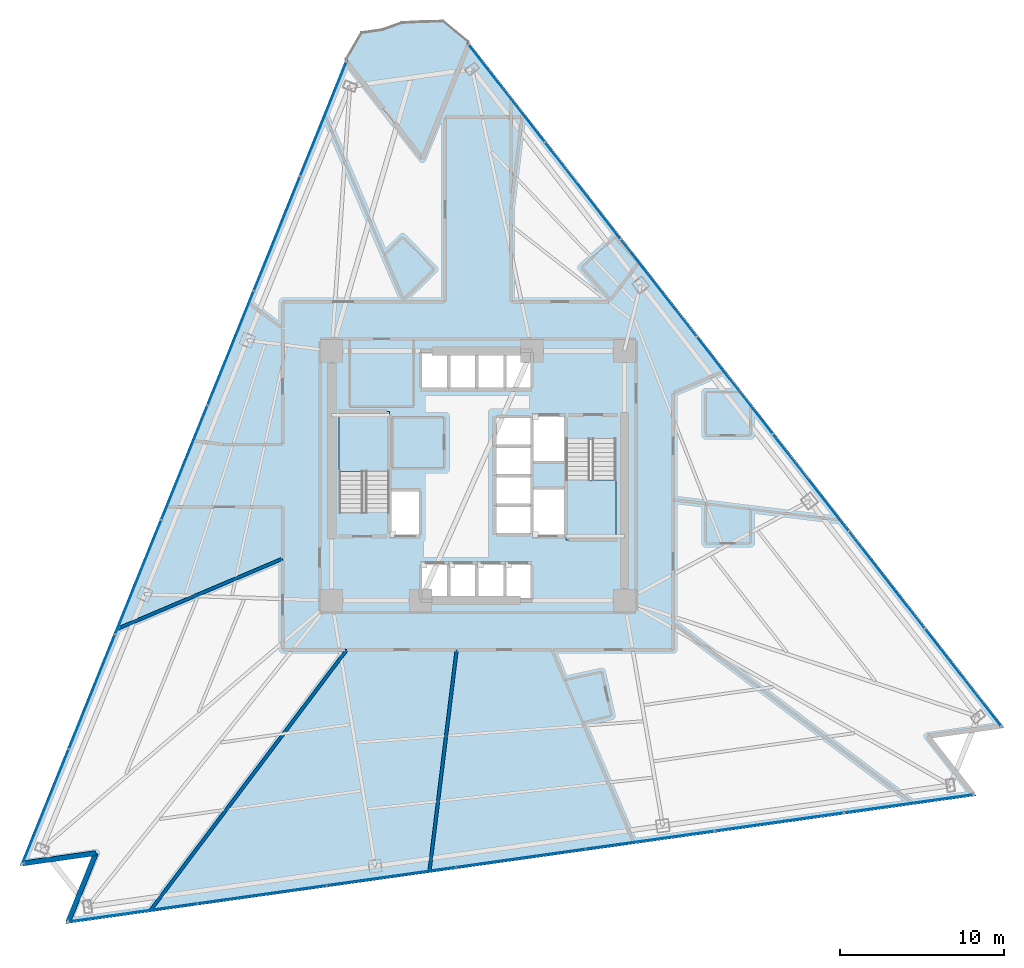
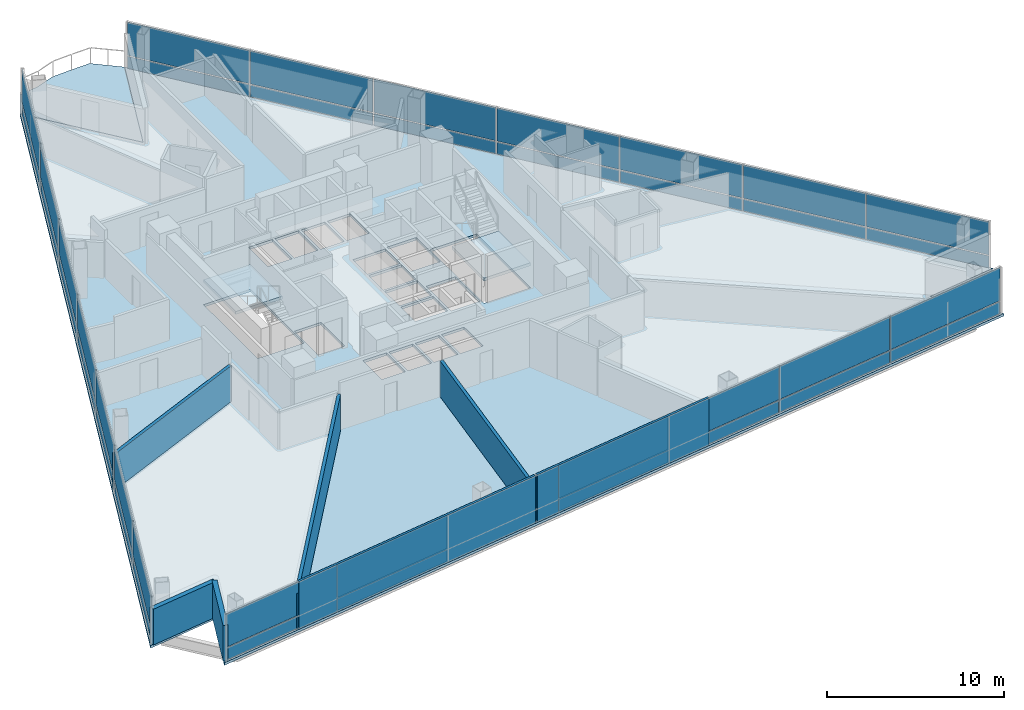
# One storey, part 6 of 15: 42 plates, 7 walls, 4 slabs, 5 elements without a shape of their own.
"""IFC4 building model written with IfcOpenShell, lengths in metres."""

from ifc_helpers import new_model, si_unit, direction, frame, frame_2d, origin, origin_2d, place, context, subcontext, project, spatial, polyline, rectangle, outline, extrude, material, layer, layer_set, type_object, element, aggregate, save


model = new_model("IFC4")

# Units and contexts
model_context = context("Model", 3, precision=1e-05, world=origin(), true_north=direction((0.0, 1.0)))
body_context = subcontext(model_context, "Body", "Model", "MODEL_VIEW")
ifc_project = project(units=[si_unit("LENGTHUNIT", "METRE"), si_unit("AREAUNIT", "SQUARE_METRE"), si_unit("VOLUMEUNIT", "CUBIC_METRE"), si_unit("PLANEANGLEUNIT", "RADIAN"), si_unit("MASSUNIT", "GRAM", prefix="KILO")], contexts=[model_context])

# Site, building, storey
site_placement = place(None, origin())
site = spatial("IfcSite", under=ifc_project, at=site_placement, CompositionType="ELEMENT")
building_placement = place(site_placement, origin())
building = spatial("IfcBuilding", under=site, at=building_placement, Name="Tharavind Bronze Gate", CompositionType="ELEMENT")
storey_placement = place(building_placement, frame((0.0, 0.0, 74.199951171875)))
storey = spatial("IfcBuildingStorey", under=building, at=storey_placement, Name="L18", CompositionType="ELEMENT", Elevation=74.199951171875)

# Curtain wall, plates
ifc_material_1 = material(Name="Anodised Bronze Aluminium", Category="aluminium")
ifc_layer_1 = layer(ifc_material_1, 0.219970703125)
ifc_layer_set_1 = layer_set([ifc_layer_1], Name="Anodised Bronze Aluminium")
curtain_wall_type = type_object("IfcCurtainWallType", Name="UNITISED CURTAIN WALL HOTEL", PredefinedType="USERDEFINED", material=ifc_layer_set_1)
curtain_wall_1_placement = place(storey_placement, origin())
curtain_wall_1 = element("IfcCurtainWall", 1, at=curtain_wall_1_placement, inside=storey, type_object=curtain_wall_type, Name="L18 unitised curtain wall hotel CW-L18-S1", ObjectType="UNITISED CURTAIN WALL", PredefinedType="USERDEFINED")
ifc_material_2 = material(Name="Patinated Bronze Alloy Sheet", Category="bronze")
ifc_layer_2 = layer(ifc_material_2, 0.01611328125)
ifc_layer_set_2 = layer_set([ifc_layer_2], Name="Patinated Bronze Alloy Sheet")
plate_type_1 = type_object("IfcPlateType", Name="BRONZE SPANDREL CLADDING PANEL 16", PredefinedType="CURTAIN_PANEL", material=ifc_layer_set_2)
plate_1_placement = place(storey_placement, frame((-9.408203125, 21.69921875, 0.033935546875), z_axis=(0.0, 0.0, 1.0), x_axis=(-0.374606593416, -0.927183854567, 0.0)))
plate_1 = element("IfcPlate", 2, at=plate_1_placement, type_object=plate_type_1, Name="CW-L18-S1 bronze spandrel panel 1", PredefinedType="CURTAIN_PANEL", context=body_context, shape_type="SweptSolid", body=[
    extrude(rectangle(XDim=7.447021484375, YDim=0.01611328125, at=origin_2d()), origin(), (0.0, 0.0, 1.0), 0.83203125),
])
plate_2_placement = place(storey_placement, frame((-12.223388671875, 14.731201171875, 0.033935546875), z_axis=(0.0, 0.0, 1.0), x_axis=(-0.374606593416, -0.927183854567, 0.0)))
plate_2 = element("IfcPlate", 3, at=plate_2_placement, type_object=plate_type_1, Name="CW-L18-S1 bronze spandrel panel 2", PredefinedType="CURTAIN_PANEL", context=body_context, shape_type="SweptSolid", body=[
    extrude(rectangle(XDim=7.447021484375, YDim=0.01611328125, at=origin_2d()), origin(), (0.0, 0.0, 1.0), 0.83203125),
])
plate_3_placement = place(storey_placement, frame((-15.038818359375, 7.763427734375, 0.033935546875), z_axis=(0.0, 0.0, 1.0), x_axis=(-0.374606593416, -0.927183854567, 0.0)))
plate_3 = element("IfcPlate", 4, at=plate_3_placement, type_object=plate_type_1, Name="CW-L18-S1 bronze spandrel panel 3", PredefinedType="CURTAIN_PANEL", context=body_context, shape_type="SweptSolid", body=[
    extrude(rectangle(XDim=7.447021484375, YDim=0.01611328125, at=origin_2d()), origin(), (0.0, 0.0, 1.0), 0.83203125),
])
plate_4_placement = place(storey_placement, frame((-17.85400390625, 0.795654296875, 0.033935546875), z_axis=(0.0, 0.0, 1.0), x_axis=(-0.374606593416, -0.927183854567, 0.0)))
plate_4 = element("IfcPlate", 5, at=plate_4_placement, type_object=plate_type_1, Name="CW-L18-S1 bronze spandrel panel 4", PredefinedType="CURTAIN_PANEL", context=body_context, shape_type="SweptSolid", body=[
    extrude(rectangle(XDim=7.447021484375, YDim=0.01611328125, at=origin_2d()), origin(), (0.0, 0.0, 1.0), 0.83203125),
])
plate_5_placement = place(storey_placement, frame((-20.669189453125, -6.17236328125, 0.033935546875), z_axis=(0.0, 0.0, 1.0), x_axis=(-0.374606593416, -0.927183854567, 0.0)))
plate_5 = element("IfcPlate", 6, at=plate_5_placement, type_object=plate_type_1, Name="CW-L18-S1 bronze spandrel panel 5", PredefinedType="CURTAIN_PANEL", context=body_context, shape_type="SweptSolid", body=[
    extrude(rectangle(XDim=7.447021484375, YDim=0.01611328125, at=origin_2d()), origin(), (0.0, 0.0, 1.0), 0.83203125),
])
plate_6_placement = place(storey_placement, frame((-23.484375, -13.14013671875, 0.033935546875), z_axis=(0.0, 0.0, 1.0), x_axis=(-0.374606593416, -0.927183854567, 0.0)))
plate_6 = element("IfcPlate", 7, at=plate_6_placement, type_object=plate_type_1, Name="CW-L18-S1 bronze spandrel panel 6", PredefinedType="CURTAIN_PANEL", context=body_context, shape_type="SweptSolid", body=[
    extrude(rectangle(XDim=7.447021484375, YDim=0.01611328125, at=origin_2d()), origin(), (0.0, 0.0, 1.0), 0.83203125),
])
plate_7_placement = place(storey_placement, frame((-26.299560546875, -20.10791015625, 0.033935546875), z_axis=(0.0, 0.0, 1.0), x_axis=(-0.374606593416, -0.927183854567, 0.0)))
plate_7 = element("IfcPlate", 8, at=plate_7_placement, type_object=plate_type_1, Name="CW-L18-S1 bronze spandrel panel 7", PredefinedType="CURTAIN_PANEL", context=body_context, shape_type="SweptSolid", body=[
    extrude(rectangle(XDim=7.447021484375, YDim=0.01611328125, at=origin_2d()), origin(), (0.0, 0.0, 1.0), 0.83203125),
])

curtain_wall_2_placement = place(storey_placement, origin())
curtain_wall_2 = element("IfcCurtainWall", 9, at=curtain_wall_2_placement, inside=storey, type_object=curtain_wall_type, Name="L18 unitised curtain wall hotel CW-L18-S2", ObjectType="UNITISED CURTAIN WALL", PredefinedType="USERDEFINED")
plate_8_placement = place(storey_placement, frame((-21.00341796875, -26.585205078125, 0.033935546875), z_axis=(0.0, 0.0, 1.0), x_axis=(0.990268068742, 0.13917310096, 0.0)))
plate_8 = element("IfcPlate", 10, at=plate_8_placement, type_object=plate_type_1, Name="CW-L18-S2 bronze spandrel panel 1", PredefinedType="CURTAIN_PANEL", context=body_context, shape_type="SweptSolid", body=[
    extrude(rectangle(XDim=7.87548828125, YDim=0.01611328125, at=origin_2d()), origin(), (0.0, 0.0, 1.0), 0.83203125),
])
plate_9_placement = place(storey_placement, frame((-13.13720703125, -25.4794921875, 0.033935546875), z_axis=(0.0, 0.0, 1.0), x_axis=(0.990268068742, 0.13917310096, 0.0)))
plate_9 = element("IfcPlate", 11, at=plate_9_placement, type_object=plate_type_1, Name="CW-L18-S2 bronze spandrel panel 2", PredefinedType="CURTAIN_PANEL", context=body_context, shape_type="SweptSolid", body=[
    extrude(rectangle(XDim=7.87548828125, YDim=0.01611328125, at=origin_2d()), origin(), (0.0, 0.0, 1.0), 0.83203125),
])
plate_10_placement = place(storey_placement, frame((-5.270751953125, -24.3740234375, 0.033935546875), z_axis=(0.0, 0.0, 1.0), x_axis=(0.990268068742, 0.13917310096, 0.0)))
plate_10 = element("IfcPlate", 12, at=plate_10_placement, type_object=plate_type_1, Name="CW-L18-S2 bronze spandrel panel 3", PredefinedType="CURTAIN_PANEL", context=body_context, shape_type="SweptSolid", body=[
    extrude(rectangle(XDim=7.87548828125, YDim=0.01611328125, at=origin_2d()), origin(), (0.0, 0.0, 1.0), 0.83203125),
])
plate_11_placement = place(storey_placement, frame((2.595703125, -23.2685546875, 0.033935546875), z_axis=(0.0, 0.0, 1.0), x_axis=(0.990268068742, 0.13917310096, 0.0)))
plate_11 = element("IfcPlate", 13, at=plate_11_placement, type_object=plate_type_1, Name="CW-L18-S2 bronze spandrel panel 4", PredefinedType="CURTAIN_PANEL", context=body_context, shape_type="SweptSolid", body=[
    extrude(rectangle(XDim=7.87548828125, YDim=0.01611328125, at=origin_2d()), origin(), (0.0, 0.0, 1.0), 0.83203125),
])
plate_12_placement = place(storey_placement, frame((10.4619140625, -22.1630859375, 0.033935546875), z_axis=(0.0, 0.0, 1.0), x_axis=(0.990268068742, 0.13917310096, 0.0)))
plate_12 = element("IfcPlate", 14, at=plate_12_placement, type_object=plate_type_1, Name="CW-L18-S2 bronze spandrel panel 5", PredefinedType="CURTAIN_PANEL", context=body_context, shape_type="SweptSolid", body=[
    extrude(rectangle(XDim=7.87548828125, YDim=0.01611328125, at=origin_2d()), origin(), (0.0, 0.0, 1.0), 0.83203125),
])
plate_13_placement = place(storey_placement, frame((18.328369140625, -21.057373046875, 0.033935546875), z_axis=(0.0, 0.0, 1.0), x_axis=(0.990268068742, 0.13917310096, 0.0)))
plate_13 = element("IfcPlate", 15, at=plate_13_placement, type_object=plate_type_1, Name="CW-L18-S2 bronze spandrel panel 6", PredefinedType="CURTAIN_PANEL", context=body_context, shape_type="SweptSolid", body=[
    extrude(rectangle(XDim=7.87548828125, YDim=0.01611328125, at=origin_2d()), origin(), (0.0, 0.0, 1.0), 0.83203125),
])
plate_14_placement = place(storey_placement, frame((26.194580078125, -19.951904296875, 0.033935546875), z_axis=(0.0, 0.0, 1.0), x_axis=(0.990268068742, 0.13917310096, 0.0)))
plate_14 = element("IfcPlate", 16, at=plate_14_placement, type_object=plate_type_1, Name="CW-L18-S2 bronze spandrel panel 7", PredefinedType="CURTAIN_PANEL", context=body_context, shape_type="SweptSolid", body=[
    extrude(rectangle(XDim=7.87548828125, YDim=0.01611328125, at=origin_2d()), origin(), (0.0, 0.0, 1.0), 0.83203125),
])

curtain_wall_3_placement = place(storey_placement, origin())
curtain_wall_3 = element("IfcCurtainWall", 17, at=curtain_wall_3_placement, inside=storey, type_object=curtain_wall_type, Name="L18 unitised curtain wall hotel CW-L18-S3", ObjectType="UNITISED CURTAIN WALL", PredefinedType="USERDEFINED")
plate_15_placement = place(storey_placement, frame((29.5, -12.265869140625, 0.033935546875), z_axis=(0.0, 0.0, 1.0), x_axis=(-0.615661475326, 0.788010753607, 0.0)))
plate_15 = element("IfcPlate", 18, at=plate_15_placement, type_object=plate_type_1, Name="CW-L18-S3 bronze spandrel panel 1", PredefinedType="CURTAIN_PANEL", context=body_context, shape_type="SweptSolid", body=[
    extrude(rectangle(XDim=7.447021484375, YDim=0.01611328125, at=origin_2d()), origin(), (0.0, 0.0, 1.0), 0.83203125),
])
plate_16_placement = place(storey_placement, frame((24.873291015625, -6.343994140625, 0.033935546875), z_axis=(0.0, 0.0, 1.0), x_axis=(-0.615661475326, 0.788010753607, 0.0)))
plate_16 = element("IfcPlate", 19, at=plate_16_placement, type_object=plate_type_1, Name="CW-L18-S3 bronze spandrel panel 2", PredefinedType="CURTAIN_PANEL", context=body_context, shape_type="SweptSolid", body=[
    extrude(rectangle(XDim=7.447021484375, YDim=0.01611328125, at=origin_2d()), origin(), (0.0, 0.0, 1.0), 0.83203125),
])
plate_17_placement = place(storey_placement, frame((20.24658203125, -0.421875, 0.033935546875), z_axis=(0.0, 0.0, 1.0), x_axis=(-0.615661475326, 0.788010753607, 0.0)))
plate_17 = element("IfcPlate", 20, at=plate_17_placement, type_object=plate_type_1, Name="CW-L18-S3 bronze spandrel panel 3", PredefinedType="CURTAIN_PANEL", context=body_context, shape_type="SweptSolid", body=[
    extrude(rectangle(XDim=7.447021484375, YDim=0.01611328125, at=origin_2d()), origin(), (0.0, 0.0, 1.0), 0.83203125),
])
plate_18_placement = place(storey_placement, frame((15.619873046875, 5.5, 0.033935546875), z_axis=(0.0, 0.0, 1.0), x_axis=(-0.615661475326, 0.788010753607, 0.0)))
plate_18 = element("IfcPlate", 21, at=plate_18_placement, type_object=plate_type_1, Name="CW-L18-S3 bronze spandrel panel 4", PredefinedType="CURTAIN_PANEL", context=body_context, shape_type="SweptSolid", body=[
    extrude(rectangle(XDim=7.447021484375, YDim=0.01611328125, at=origin_2d()), origin(), (0.0, 0.0, 1.0), 0.83203125),
])
plate_19_placement = place(storey_placement, frame((10.9931640625, 11.422119140625, 0.033935546875), z_axis=(0.0, 0.0, 1.0), x_axis=(-0.615661475326, 0.788010753607, 0.0)))
plate_19 = element("IfcPlate", 22, at=plate_19_placement, type_object=plate_type_1, Name="CW-L18-S3 bronze spandrel panel 5", PredefinedType="CURTAIN_PANEL", context=body_context, shape_type="SweptSolid", body=[
    extrude(rectangle(XDim=7.447021484375, YDim=0.01611328125, at=origin_2d()), origin(), (0.0, 0.0, 1.0), 0.83203125),
])
plate_20_placement = place(storey_placement, frame((6.366455078125, 17.343994140625, 0.033935546875), z_axis=(0.0, 0.0, 1.0), x_axis=(-0.615661475326, 0.788010753607, 0.0)))
plate_20 = element("IfcPlate", 23, at=plate_20_placement, type_object=plate_type_1, Name="CW-L18-S3 bronze spandrel panel 6", PredefinedType="CURTAIN_PANEL", context=body_context, shape_type="SweptSolid", body=[
    extrude(rectangle(XDim=7.447021484375, YDim=0.01611328125, at=origin_2d()), origin(), (0.0, 0.0, 1.0), 0.83203125),
])
plate_21_placement = place(storey_placement, frame((1.73974609375, 23.265869140625, 0.033935546875), z_axis=(0.0, 0.0, 1.0), x_axis=(-0.615661475326, 0.788010753607, 0.0)))
plate_21 = element("IfcPlate", 24, at=plate_21_placement, type_object=plate_type_1, Name="CW-L18-S3 bronze spandrel panel 7", PredefinedType="CURTAIN_PANEL", context=body_context, shape_type="SweptSolid", body=[
    extrude(rectangle(XDim=7.447021484375, YDim=0.01611328125, at=origin_2d()), origin(), (0.0, 0.0, 1.0), 0.83203125),
])

# Plate
ifc_material_3 = material(Name="Low-E Double Glazing", Category="glass")
ifc_layer_3 = layer(ifc_material_3, 0.031982421875)
ifc_layer_set_3 = layer_set([ifc_layer_3], Name="Low-E Double Glazing")
plate_type_2 = type_object("IfcPlateType", Name="DOUBLE GLAZED FACADE PANEL 32", PredefinedType="CURTAIN_PANEL", material=ifc_layer_set_3)
plate_22_placement = place(storey_placement, frame((-9.408203125, 21.69921875, 0.93408203125), z_axis=(0.0, 0.0, 1.0), x_axis=(-0.374606593416, -0.927183854567, 0.0)))
plate_22 = element("IfcPlate", 25, at=plate_22_placement, type_object=plate_type_2, Name="CW-L18-S1 vision glazing panel 1", PredefinedType="CURTAIN_PANEL", context=body_context, shape_type="SweptSolid", body=[
    extrude(rectangle(XDim=7.447021484375, YDim=0.031982421875, at=origin_2d()), origin(), (0.0, 0.0, 1.0), 2.306884765625),
])

plate_23_placement = place(storey_placement, frame((-12.223388671875, 14.731201171875, 0.93408203125), z_axis=(0.0, 0.0, 1.0), x_axis=(-0.374606593416, -0.927183854567, 0.0)))
plate_23 = element("IfcPlate", 26, at=plate_23_placement, type_object=plate_type_2, Name="CW-L18-S1 vision glazing panel 2", PredefinedType="CURTAIN_PANEL", context=body_context, shape_type="SweptSolid", body=[
    extrude(rectangle(XDim=7.447021484375, YDim=0.031982421875, at=origin_2d()), origin(), (0.0, 0.0, 1.0), 2.306884765625),
])

plate_24_placement = place(storey_placement, frame((-15.038818359375, 7.763427734375, 0.93408203125), z_axis=(0.0, 0.0, 1.0), x_axis=(-0.374606593416, -0.927183854567, 0.0)))
plate_24 = element("IfcPlate", 27, at=plate_24_placement, type_object=plate_type_2, Name="CW-L18-S1 vision glazing panel 3", PredefinedType="CURTAIN_PANEL", context=body_context, shape_type="SweptSolid", body=[
    extrude(rectangle(XDim=7.447021484375, YDim=0.031982421875, at=origin_2d()), origin(), (0.0, 0.0, 1.0), 2.306884765625),
])

plate_25_placement = place(storey_placement, frame((-17.85400390625, 0.795654296875, 0.93408203125), z_axis=(0.0, 0.0, 1.0), x_axis=(-0.374606593416, -0.927183854567, 0.0)))
plate_25 = element("IfcPlate", 28, at=plate_25_placement, type_object=plate_type_2, Name="CW-L18-S1 vision glazing panel 4", PredefinedType="CURTAIN_PANEL", context=body_context, shape_type="SweptSolid", body=[
    extrude(rectangle(XDim=7.447021484375, YDim=0.031982421875, at=origin_2d()), origin(), (0.0, 0.0, 1.0), 2.306884765625),
])

plate_26_placement = place(storey_placement, frame((-20.669189453125, -6.17236328125, 0.93408203125), z_axis=(0.0, 0.0, 1.0), x_axis=(-0.374606593416, -0.927183854567, 0.0)))
plate_26 = element("IfcPlate", 29, at=plate_26_placement, type_object=plate_type_2, Name="CW-L18-S1 vision glazing panel 5", PredefinedType="CURTAIN_PANEL", context=body_context, shape_type="SweptSolid", body=[
    extrude(rectangle(XDim=7.447021484375, YDim=0.031982421875, at=origin_2d()), origin(), (0.0, 0.0, 1.0), 2.306884765625),
])

plate_27_placement = place(storey_placement, frame((-23.484375, -13.14013671875, 0.93408203125), z_axis=(0.0, 0.0, 1.0), x_axis=(-0.374606593416, -0.927183854567, 0.0)))
plate_27 = element("IfcPlate", 30, at=plate_27_placement, type_object=plate_type_2, Name="CW-L18-S1 vision glazing panel 6", PredefinedType="CURTAIN_PANEL", context=body_context, shape_type="SweptSolid", body=[
    extrude(rectangle(XDim=7.447021484375, YDim=0.031982421875, at=origin_2d()), origin(), (0.0, 0.0, 1.0), 2.306884765625),
])

plate_28_placement = place(storey_placement, frame((-26.299560546875, -20.10791015625, 0.93408203125), z_axis=(0.0, 0.0, 1.0), x_axis=(-0.374606593416, -0.927183854567, 0.0)))
plate_28 = element("IfcPlate", 31, at=plate_28_placement, type_object=plate_type_2, Name="CW-L18-S1 vision glazing panel 7", PredefinedType="CURTAIN_PANEL", context=body_context, shape_type="SweptSolid", body=[
    extrude(rectangle(XDim=7.447021484375, YDim=0.031982421875, at=origin_2d()), origin(), (0.0, 0.0, 1.0), 2.306884765625),
])

aggregate(curtain_wall_1, [plate_1, plate_22, plate_2, plate_23, plate_3, plate_24, plate_4, plate_25, plate_5, plate_26, plate_6, plate_27, plate_7, plate_28])

plate_29_placement = place(storey_placement, frame((-21.00341796875, -26.585205078125, 0.93408203125), z_axis=(0.0, 0.0, 1.0), x_axis=(0.990268068742, 0.13917310096, 0.0)))
plate_29 = element("IfcPlate", 32, at=plate_29_placement, type_object=plate_type_2, Name="CW-L18-S2 vision glazing panel 1", PredefinedType="CURTAIN_PANEL", context=body_context, shape_type="SweptSolid", body=[
    extrude(rectangle(XDim=7.87548828125, YDim=0.031982421875, at=origin_2d()), origin(), (0.0, 0.0, 1.0), 2.306884765625),
])

plate_30_placement = place(storey_placement, frame((-13.13720703125, -25.4794921875, 0.93408203125), z_axis=(0.0, 0.0, 1.0), x_axis=(0.990268068742, 0.13917310096, 0.0)))
plate_30 = element("IfcPlate", 33, at=plate_30_placement, type_object=plate_type_2, Name="CW-L18-S2 vision glazing panel 2", PredefinedType="CURTAIN_PANEL", context=body_context, shape_type="SweptSolid", body=[
    extrude(rectangle(XDim=7.87548828125, YDim=0.031982421875, at=origin_2d()), origin(), (0.0, 0.0, 1.0), 2.306884765625),
])

plate_31_placement = place(storey_placement, frame((-5.270751953125, -24.3740234375, 0.93408203125), z_axis=(0.0, 0.0, 1.0), x_axis=(0.990268068742, 0.13917310096, 0.0)))
plate_31 = element("IfcPlate", 34, at=plate_31_placement, type_object=plate_type_2, Name="CW-L18-S2 vision glazing panel 3", PredefinedType="CURTAIN_PANEL", context=body_context, shape_type="SweptSolid", body=[
    extrude(rectangle(XDim=7.87548828125, YDim=0.031982421875, at=origin_2d()), origin(), (0.0, 0.0, 1.0), 2.306884765625),
])

plate_32_placement = place(storey_placement, frame((2.595703125, -23.2685546875, 0.93408203125), z_axis=(0.0, 0.0, 1.0), x_axis=(0.990268068742, 0.13917310096, 0.0)))
plate_32 = element("IfcPlate", 35, at=plate_32_placement, type_object=plate_type_2, Name="CW-L18-S2 vision glazing panel 4", PredefinedType="CURTAIN_PANEL", context=body_context, shape_type="SweptSolid", body=[
    extrude(rectangle(XDim=7.87548828125, YDim=0.031982421875, at=origin_2d()), origin(), (0.0, 0.0, 1.0), 2.306884765625),
])

plate_33_placement = place(storey_placement, frame((10.4619140625, -22.1630859375, 0.93408203125), z_axis=(0.0, 0.0, 1.0), x_axis=(0.990268068742, 0.13917310096, 0.0)))
plate_33 = element("IfcPlate", 36, at=plate_33_placement, type_object=plate_type_2, Name="CW-L18-S2 vision glazing panel 5", PredefinedType="CURTAIN_PANEL", context=body_context, shape_type="SweptSolid", body=[
    extrude(rectangle(XDim=7.87548828125, YDim=0.031982421875, at=origin_2d()), origin(), (0.0, 0.0, 1.0), 2.306884765625),
])

plate_34_placement = place(storey_placement, frame((18.328369140625, -21.057373046875, 0.93408203125), z_axis=(0.0, 0.0, 1.0), x_axis=(0.990268068742, 0.13917310096, 0.0)))
plate_34 = element("IfcPlate", 37, at=plate_34_placement, type_object=plate_type_2, Name="CW-L18-S2 vision glazing panel 6", PredefinedType="CURTAIN_PANEL", context=body_context, shape_type="SweptSolid", body=[
    extrude(rectangle(XDim=7.87548828125, YDim=0.031982421875, at=origin_2d()), origin(), (0.0, 0.0, 1.0), 2.306884765625),
])

plate_35_placement = place(storey_placement, frame((26.194580078125, -19.951904296875, 0.93408203125), z_axis=(0.0, 0.0, 1.0), x_axis=(0.990268068742, 0.13917310096, 0.0)))
plate_35 = element("IfcPlate", 38, at=plate_35_placement, type_object=plate_type_2, Name="CW-L18-S2 vision glazing panel 7", PredefinedType="CURTAIN_PANEL", context=body_context, shape_type="SweptSolid", body=[
    extrude(rectangle(XDim=7.87548828125, YDim=0.031982421875, at=origin_2d()), origin(), (0.0, 0.0, 1.0), 2.306884765625),
])

aggregate(curtain_wall_2, [plate_8, plate_29, plate_9, plate_30, plate_10, plate_31, plate_11, plate_32, plate_12, plate_33, plate_13, plate_34, plate_14, plate_35])

plate_36_placement = place(storey_placement, frame((29.5, -12.265869140625, 0.93408203125), z_axis=(0.0, 0.0, 1.0), x_axis=(-0.615661475326, 0.788010753607, 0.0)))
plate_36 = element("IfcPlate", 39, at=plate_36_placement, type_object=plate_type_2, Name="CW-L18-S3 vision glazing panel 1", PredefinedType="CURTAIN_PANEL", context=body_context, shape_type="SweptSolid", body=[
    extrude(rectangle(XDim=7.447021484375, YDim=0.031982421875, at=origin_2d()), origin(), (0.0, 0.0, 1.0), 2.306884765625),
])

plate_37_placement = place(storey_placement, frame((24.873291015625, -6.343994140625, 0.93408203125), z_axis=(0.0, 0.0, 1.0), x_axis=(-0.615661475326, 0.788010753607, 0.0)))
plate_37 = element("IfcPlate", 40, at=plate_37_placement, type_object=plate_type_2, Name="CW-L18-S3 vision glazing panel 2", PredefinedType="CURTAIN_PANEL", context=body_context, shape_type="SweptSolid", body=[
    extrude(rectangle(XDim=7.447021484375, YDim=0.031982421875, at=origin_2d()), origin(), (0.0, 0.0, 1.0), 2.306884765625),
])

plate_38_placement = place(storey_placement, frame((20.24658203125, -0.421875, 0.93408203125), z_axis=(0.0, 0.0, 1.0), x_axis=(-0.615661475326, 0.788010753607, 0.0)))
plate_38 = element("IfcPlate", 41, at=plate_38_placement, type_object=plate_type_2, Name="CW-L18-S3 vision glazing panel 3", PredefinedType="CURTAIN_PANEL", context=body_context, shape_type="SweptSolid", body=[
    extrude(rectangle(XDim=7.447021484375, YDim=0.031982421875, at=origin_2d()), origin(), (0.0, 0.0, 1.0), 2.306884765625),
])

plate_39_placement = place(storey_placement, frame((15.619873046875, 5.5, 0.93408203125), z_axis=(0.0, 0.0, 1.0), x_axis=(-0.615661475326, 0.788010753607, 0.0)))
plate_39 = element("IfcPlate", 42, at=plate_39_placement, type_object=plate_type_2, Name="CW-L18-S3 vision glazing panel 4", PredefinedType="CURTAIN_PANEL", context=body_context, shape_type="SweptSolid", body=[
    extrude(rectangle(XDim=7.447021484375, YDim=0.031982421875, at=origin_2d()), origin(), (0.0, 0.0, 1.0), 2.306884765625),
])

plate_40_placement = place(storey_placement, frame((10.9931640625, 11.422119140625, 0.93408203125), z_axis=(0.0, 0.0, 1.0), x_axis=(-0.615661475326, 0.788010753607, 0.0)))
plate_40 = element("IfcPlate", 43, at=plate_40_placement, type_object=plate_type_2, Name="CW-L18-S3 vision glazing panel 5", PredefinedType="CURTAIN_PANEL", context=body_context, shape_type="SweptSolid", body=[
    extrude(rectangle(XDim=7.447021484375, YDim=0.031982421875, at=origin_2d()), origin(), (0.0, 0.0, 1.0), 2.306884765625),
])

plate_41_placement = place(storey_placement, frame((6.366455078125, 17.343994140625, 0.93408203125), z_axis=(0.0, 0.0, 1.0), x_axis=(-0.615661475326, 0.788010753607, 0.0)))
plate_41 = element("IfcPlate", 44, at=plate_41_placement, type_object=plate_type_2, Name="CW-L18-S3 vision glazing panel 6", PredefinedType="CURTAIN_PANEL", context=body_context, shape_type="SweptSolid", body=[
    extrude(rectangle(XDim=7.447021484375, YDim=0.031982421875, at=origin_2d()), origin(), (0.0, 0.0, 1.0), 2.306884765625),
])

plate_42_placement = place(storey_placement, frame((1.73974609375, 23.265869140625, 0.93408203125), z_axis=(0.0, 0.0, 1.0), x_axis=(-0.615661475326, 0.788010753607, 0.0)))
plate_42 = element("IfcPlate", 45, at=plate_42_placement, type_object=plate_type_2, Name="CW-L18-S3 vision glazing panel 7", PredefinedType="CURTAIN_PANEL", context=body_context, shape_type="SweptSolid", body=[
    extrude(rectangle(XDim=7.447021484375, YDim=0.031982421875, at=origin_2d()), origin(), (0.0, 0.0, 1.0), 2.306884765625),
])

aggregate(curtain_wall_3, [plate_15, plate_36, plate_16, plate_37, plate_17, plate_38, plate_18, plate_39, plate_19, plate_40, plate_20, plate_41, plate_21, plate_42])

# Slab
ifc_material_4 = material(Name="Concrete C40/50", Category="concrete")
ifc_layer_4 = layer(ifc_material_4, 0.175048828125)
ifc_layer_set_4 = layer_set([ifc_layer_4], Name="Concrete C40/50")
slab_type_1 = type_object("IfcSlabType", Name="EXTERIOR BALCONY SLAB 175", PredefinedType="FLOOR", material=ifc_layer_set_4)
slab_1_placement = place(storey_placement, frame((0.0, 0.0, -0.175048828125)))
element("IfcSlab", 46, at=slab_1_placement, inside=storey, type_object=slab_type_1, Name="L18 northeast tree balcony slab", PredefinedType="FLOOR", context=body_context, shape_type="SweptSolid", body=[
    extrude(outline(polyline([(-2.13671875, 27.72412109375), (-3.39501953125, 27.6962890625), (-4.648681640625, 27.6337890625), (-5.85009765625, 27.2021484375), (-7.088134765625, 27.028076171875), (-8.028564453125, 25.381103515625), (-3.4111328125, 19.47119140625), (-0.6015625, 26.425048828125), (-2.13671875, 27.72412109375)])), origin(), (0.0, 0.0, 1.0), 0.175048828125),
])

# Stair, slab
stair_type = type_object("IfcStairType", Name="CORE HALF TURN STAIR 1450", PredefinedType="HALF_TURN_STAIR", material=ifc_material_4)
stair_1_placement = place(storey_placement, origin())
stair_1 = element("IfcStair", 47, at=stair_1_placement, inside=storey, type_object=stair_type, Name="L18 Protected Exit Stair ST1", PredefinedType="HALF_TURN_STAIR")
ifc_layer_5 = layer(ifc_material_4, 0.199951171875)
ifc_layer_set_5 = layer_set([ifc_layer_5], Name="Concrete C40/50")
slab_type_2 = type_object("IfcSlabType", Name="STAIR LANDING SLAB 200", PredefinedType="LANDING", material=ifc_layer_set_5)
slab_2_placement = place(storey_placement, frame((0.0, 0.0, 1.525146484375)))
slab_2 = element("IfcSlab", 48, at=slab_2_placement, type_object=slab_type_2, Name="ST1 landing 1", PredefinedType="LANDING", context=body_context, shape_type="SweptSolid", body=[
    extrude(outline(polyline([(-5.39990234375, 0.27001953125), (-5.39990234375, 3.89990234375), (-8.449951171875, 3.89990234375), (-8.449951171875, 0.27001953125), (-5.39990234375, 0.27001953125)])), origin(), (0.0, 0.0, 1.0), 0.199951171875),
])
aggregate(stair_1, [slab_2])

stair_2_placement = place(storey_placement, origin())
stair_2 = element("IfcStair", 49, at=stair_2_placement, inside=storey, type_object=stair_type, Name="L18 Protected Exit Stair ST2", PredefinedType="HALF_TURN_STAIR")
slab_3_placement = place(storey_placement, frame((0.0, 0.0, 1.525146484375)))
slab_3 = element("IfcSlab", 50, at=slab_3_placement, type_object=slab_type_2, Name="ST2 landing 1", PredefinedType="LANDING", context=body_context, shape_type="SweptSolid", body=[
    extrude(outline(polyline([(5.35009765625, -0.27001953125), (5.35009765625, -3.89990234375), (8.39990234375, -3.89990234375), (8.39990234375, -0.27001953125), (5.35009765625, -0.27001953125)])), origin(), (0.0, 0.0, 1.0), 0.199951171875),
])
aggregate(stair_2, [slab_3])

# Slab
ifc_layer_6 = layer(ifc_material_4, 0.175048828125)
ifc_layer_set_6 = layer_set([ifc_layer_6], Name="Concrete C40/50")
slab_type_3 = type_object("IfcSlabType", Name="STRUCTURAL FLOOR SLAB 175", PredefinedType="FLOOR", material=ifc_layer_set_6)
slab_4_placement = place(storey_placement, frame((0.0, 0.0, -0.175048828125)))
element("IfcSlab", 51, at=slab_4_placement, inside=storey, type_object=slab_type_3, Name="L18 main structural floor slab", PredefinedType="FLOOR", context=body_context, shape_type="SweptSolid", body=[
    extrude(outline(polyline([(-0.6015625, 26.425048828125), (-3.4111328125, 19.47119140625), (-8.028564453125, 25.381103515625), (-27.86474609375, -23.715087890625), (-23.408447265625, -23.088623046875), (-25.09423828125, -27.260986328125), (30.313232421875, -19.47412109375), (27.542724609375, -15.927978515625), (31.998779296875, -15.3017578125), (-0.6015625, 26.425048828125)]), holes=[polyline([(-5.39990234375, -2.215087890625), (-5.39990234375, 3.89990234375), (-8.449951171875, 3.89990234375), (-8.449951171875, -2.215087890625), (-5.39990234375, -2.215087890625)]), polyline([(5.35009765625, 2.215087890625), (5.35009765625, -3.89990234375), (8.39990234375, -3.89990234375), (8.39990234375, 2.215087890625), (5.35009765625, 2.215087890625)]), polyline([(-3.419921875, -7.52001953125), (-1.867431640625, -7.52001953125), (-1.867431640625, -5.3798828125), (-3.419921875, -5.3798828125), (-3.419921875, -7.52001953125)]), polyline([(-1.70751953125, -7.52001953125), (-0.155029296875, -7.52001953125), (-0.155029296875, -5.3798828125), (-1.70751953125, -5.3798828125), (-1.70751953125, -7.52001953125)]), polyline([(0.0048828125, -7.52001953125), (1.5576171875, -7.52001953125), (1.5576171875, -5.3798828125), (0.0048828125, -5.3798828125), (0.0048828125, -7.52001953125)]), polyline([(1.717529296875, -7.52001953125), (3.199951171875, -7.52001953125), (3.199951171875, -5.3798828125), (1.717529296875, -5.3798828125), (1.717529296875, -7.52001953125)]), polyline([(-3.419921875, 5.330078125), (-1.867431640625, 5.330078125), (-1.867431640625, 7.52001953125), (-3.419921875, 7.52001953125), (-3.419921875, 5.330078125)]), polyline([(-1.70751953125, 5.330078125), (-0.155029296875, 5.330078125), (-0.155029296875, 7.52001953125), (-1.70751953125, 7.52001953125), (-1.70751953125, 5.330078125)]), polyline([(0.0048828125, 5.330078125), (1.5576171875, 5.330078125), (1.5576171875, 7.52001953125), (0.0048828125, 7.52001953125), (0.0048828125, 5.330078125)]), polyline([(1.717529296875, 5.330078125), (3.199951171875, 5.330078125), (3.199951171875, 7.52001953125), (1.717529296875, 7.52001953125), (1.717529296875, 5.330078125)]), polyline([(1.080078125, -3.52001953125), (3.199951171875, -3.52001953125), (3.199951171875, -1.8798828125), (1.080078125, -1.8798828125), (1.080078125, -3.52001953125)]), polyline([(1.080078125, -1.719970703125), (3.199951171875, -1.719970703125), (3.199951171875, -0.080078125), (1.080078125, -0.080078125), (1.080078125, -1.719970703125)]), polyline([(1.080078125, 0.080078125), (3.199951171875, 0.080078125), (3.199951171875, 1.719970703125), (1.080078125, 1.719970703125), (1.080078125, 0.080078125)]), polyline([(1.080078125, 1.8798828125), (3.199951171875, 1.8798828125), (3.199951171875, 3.52001953125), (1.080078125, 3.52001953125), (1.080078125, 1.8798828125)]), polyline([(-5.320068359375, -3.6201171875), (-3.580078125, -3.6201171875), (-3.580078125, -0.929931640625), (-5.320068359375, -0.929931640625), (-5.320068359375, -3.6201171875)]), polyline([(3.360107421875, 0.8798828125), (5.27001953125, 0.8798828125), (5.27001953125, 3.6201171875), (3.360107421875, 3.6201171875), (3.360107421875, 0.8798828125)]), polyline([(3.360107421875, -3.6201171875), (5.27001953125, -3.6201171875), (5.27001953125, -0.830078125), (3.360107421875, -0.830078125), (3.360107421875, -3.6201171875)])]), origin(), (0.0, 0.0, 1.0), 0.175048828125),
])

# Walls
ifc_layer_7 = layer(ifc_material_4, 0.300048828125)
ifc_layer_set_7 = layer_set([ifc_layer_7], Name="Concrete C40/50")
wall_type_1 = type_object("IfcWallType", Name="EXTERIOR SPANDREL WALL 300", PredefinedType="STANDARD", material=ifc_layer_set_7)
wall_1_placement = place(storey_placement, frame((-27.70703125, -23.591796875, 0.0), z_axis=(0.0, 0.0, 1.0), x_axis=(0.990269200152, 0.139165050317, 0.0)))
element("IfcWall", 52, at=wall_1_placement, inside=storey, type_object=wall_type_1, Name="L18 notch cheek wall 2A", PredefinedType="STANDARD", context=body_context, shape_type="SweptSolid", body=[
    extrude(rectangle(XDim=4.499755859375, YDim=0.300048828125, at=frame_2d((2.25, 0.0))), origin(), (0.0, 0.0, 1.0), 2.469970703125),
])
wall_2_placement = place(storey_placement, frame((-23.2509765625, -22.965576171875, 0.0), z_axis=(0.0, 0.0, 1.0), x_axis=(-0.374568898324, -0.927199083481, 0.0)))
element("IfcWall", 53, at=wall_2_placement, inside=storey, type_object=wall_type_1, Name="L18 notch cheek wall 2B", PredefinedType="STANDARD", context=body_context, shape_type="SweptSolid", body=[
    extrude(rectangle(XDim=4.5, YDim=0.300048828125, at=frame_2d((2.25, 0.0))), origin(), (0.0, 0.0, 1.0), 2.469970703125),
])
ifc_material_5 = material(Name="Aerated Concrete Block", Category="concrete")
ifc_layer_8 = layer(ifc_material_5, 0.199951171875)
ifc_layer_set_8 = layer_set([ifc_layer_8], Name="Aerated Concrete Block")
wall_type_2 = type_object("IfcWallType", Name="FIRE RATED PARTITION 200", PredefinedType="PARTITIONING", material=ifc_layer_set_8)
wall_3_placement = place(storey_placement, frame((-19.91845703125, -26.4326171875, 0.0), z_axis=(0.0, 0.0, 1.0), x_axis=(0.601823847332, 0.798628860475, 0.0)))
element("IfcWall", 54, at=wall_3_placement, inside=storey, type_object=wall_type_2, Name="L18 Public Restrooms Block partition", PredefinedType="PARTITIONING", context=body_context, shape_type="SweptSolid", body=[
    extrude(rectangle(XDim=19.837158203125, YDim=0.199951171875, at=frame_2d((9.91845703125, 0.0))), origin(), (0.0, 0.0, 1.0), 2.469970703125),
])
wall_4_placement = place(storey_placement, frame((-1.302490234375, -10.60791015625, 0.0), z_axis=(0.0, 0.0, 1.0), x_axis=(-0.121870082422, -0.992546060901, 0.0)))
element("IfcWall", 55, at=wall_4_placement, inside=storey, type_object=wall_type_2, Name="L18 Public Restrooms Block partition", PredefinedType="PARTITIONING", context=body_context, shape_type="SweptSolid", body=[
    extrude(rectangle(XDim=13.522216796875, YDim=0.199951171875, at=frame_2d((6.76123046875, 0.0))), origin(), (0.0, 0.0, 1.0), 2.469970703125),
])
wall_5_placement = place(storey_placement, frame((-11.895263671875, -5.04931640625, 0.0), z_axis=(0.0, 0.0, 1.0), x_axis=(-0.920504230584, -0.390732595872, 0.0)))
element("IfcWall", 56, at=wall_5_placement, inside=storey, type_object=wall_type_2, Name="L18 Hotel Guest Lounge partition", PredefinedType="PARTITIONING", context=body_context, shape_type="SweptSolid", body=[
    extrude(rectangle(XDim=10.909423828125, YDim=0.199951171875, at=frame_2d((5.45458984375, 0.0))), origin(), (0.0, 0.0, 1.0), 2.469970703125),
])
ifc_material_6 = material(Name="Twin Stud Acoustic Gypsum", Category="gypsum")
ifc_layer_9 = layer(ifc_material_6, 0.14990234375)
ifc_layer_set_9 = layer_set([ifc_layer_9], Name="Twin Stud Acoustic Gypsum")
wall_type_3 = type_object("IfcWallType", Name="INTERIOR PARTITION WALL 150", PredefinedType="PARTITIONING", material=ifc_layer_set_9)
wall_6_placement = place(storey_placement, frame((-2.9716796875, -24.05078125, 0.0), z_axis=(0.0, 0.0, 1.0), x_axis=(-0.99026786231, -0.13917456979, 0.0)))
element("IfcWall", 57, at=wall_6_placement, inside=storey, type_object=wall_type_3, Name="L18 Public Restrooms Block partition", PredefinedType="PARTITIONING", context=body_context, shape_type="SweptSolid", body=[
    extrude(rectangle(XDim=16.96484375, YDim=0.14990234375, at=frame_2d((8.482421875, 0.0))), origin(), (0.0, 0.0, 1.0), 3.275146484375),
])
wall_7_placement = place(storey_placement, frame((9.359130859375, -22.31787109375, 0.0), z_axis=(0.0, 0.0, 1.0), x_axis=(-0.990266692115, -0.139182895813, 0.0)))
element("IfcWall", 58, at=wall_7_placement, inside=storey, type_object=wall_type_3, Name="L18 Public Restrooms Block partition", PredefinedType="PARTITIONING", context=body_context, shape_type="SweptSolid", body=[
    extrude(rectangle(XDim=12.32421875, YDim=0.14990234375, at=frame_2d((6.162109375, 0.0))), origin(), (0.0, 0.0, 1.0), 3.275146484375),
])

save(model, "model.ifc")
